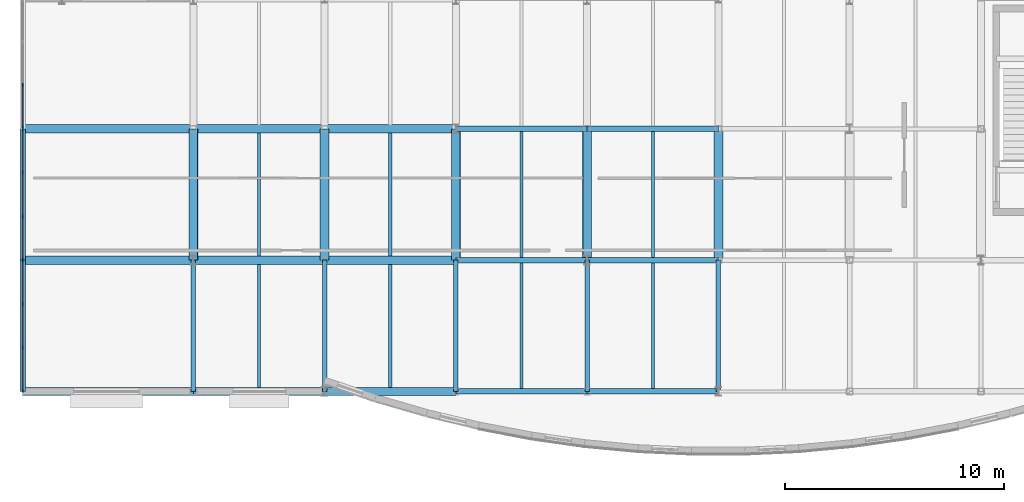
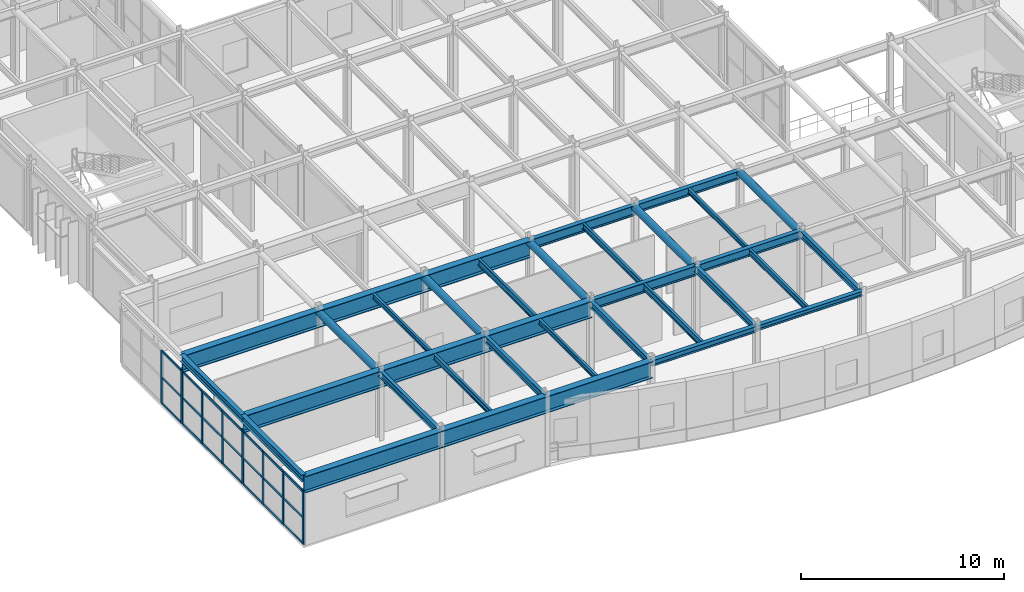
# One storey, part 23 of 96: 32 beams, 31 members, 3 elements without a shape of their own.
"""IFC4 building model written with IfcOpenShell, lengths in metres."""

import ifcopenshell
import ifcopenshell.guid

model = None  # the IFC model being written
_history = None  # IfcOwnerHistory: only IFC2X3 demands one
_inside = {}  # id of a spatial element -> (the spatial element, [elements in it])
_under = {}  # id of a project, library or spatial element -> (it, [spatial elements below it])
_declared = {}  # id of a project -> (the project, [libraries it declares])
_typed = {}  # id of a type object -> (the type object, [elements of that type])
_made_of = {}  # id of a material, layer set ... -> (it, [elements and type objects made of it])


def new_model(schema):
    """Start an empty IFC model of exactly this schema.

    Asked for "IFC4X3", IfcOpenShell would pick the latest addendum, in which some entities
    have other attributes; the version numbers below select the first issue.
    IFC2X3 requires an IfcOwnerHistory on every rooted entity: one is made here for all.
    """
    global model, _history
    if schema == "IFC4X3":
        model = ifcopenshell.file(schema_version=(4, 3, 0, 0))
    else:
        model = ifcopenshell.file(schema=schema)
    _inside.clear()
    _under.clear()
    _declared.clear()
    _typed.clear()
    _made_of.clear()
    _history = None
    if model.schema == "IFC2X3":
        org = make("IfcOrganization", Name="unknown")
        user = make(
            "IfcPersonAndOrganization",
            ThePerson=make("IfcPerson", FamilyName="unknown"),
            TheOrganization=org,
        )
        app = make(
            "IfcApplication",
            ApplicationDeveloper=org,
            Version="unknown",
            ApplicationFullName="unknown",
            ApplicationIdentifier="unknown",
        )
        _history = make(
            "IfcOwnerHistory",
            OwningUser=user,
            OwningApplication=app,
            ChangeAction="ADDED",
            CreationDate=0,
        )
    return model


def make(cls, **values):
    """One entity of the class cls with the attributes given. An attribute that is None is left unset."""
    return model.create_entity(
        cls, **{name: value for name, value in values.items() if value is not None}
    )


def rooted(cls, **values):
    """An entity with a GlobalId (a new one), such as an element, a storey or a relation."""
    return make(cls, GlobalId=ifcopenshell.guid.new(), OwnerHistory=_history, **values)


def si_unit(unit_type, name, prefix=None):
    """IfcSIUnit, for example si_unit("LENGTHUNIT", "METRE", prefix="MILLI")."""
    return make("IfcSIUnit", UnitType=unit_type, Prefix=prefix, Name=name)


def assignment(units):
    """IfcUnitAssignment: the units of a project."""
    return None if units is None else make("IfcUnitAssignment", Units=units)


def point(xyz):
    """IfcCartesianPoint."""
    return None if xyz is None else make("IfcCartesianPoint", Coordinates=xyz)


def direction(xyz):
    """IfcDirection."""
    return None if xyz is None else make("IfcDirection", DirectionRatios=xyz)


def frame(location, z_axis=None, x_axis=None):
    """IfcAxis2Placement3D, a coordinate frame: its origin and axes. An axis left out is left unset."""
    return make(
        "IfcAxis2Placement3D",
        Location=point(location),
        Axis=direction(z_axis),
        RefDirection=direction(x_axis),
    )


def frame_2d(location, x_axis=None):
    """IfcAxis2Placement2D, a coordinate frame in the plane: its origin and x axis."""
    return make(
        "IfcAxis2Placement2D", Location=point(location), RefDirection=direction(x_axis)
    )


def origin():
    """The frame at (0, 0, 0) with its axes left unset."""
    return frame((0.0, 0.0, 0.0))


def origin_2d():
    """The frame at (0, 0) in the plane with its x axis left unset."""
    return frame_2d((0.0, 0.0))


def place(relative_to, where):
    """IfcLocalPlacement: puts the frame where relative to a parent placement (None: the world)."""
    return make(
        "IfcLocalPlacement", PlacementRelTo=relative_to, RelativePlacement=where
    )


def context(
    kind, dimensions, precision=None, world=None, true_north=None, identifier=None
):
    """IfcGeometricRepresentationContext, for example the 3D "Model" context."""
    return make(
        "IfcGeometricRepresentationContext",
        ContextIdentifier=identifier,
        ContextType=kind,
        CoordinateSpaceDimension=dimensions,
        Precision=precision,
        WorldCoordinateSystem=world,
        TrueNorth=true_north,
    )


def subcontext(parent, identifier, kind, view, scale=None):
    """IfcGeometricRepresentationSubContext, for example "Body" below "Model"."""
    return make(
        "IfcGeometricRepresentationSubContext",
        ContextIdentifier=identifier,
        ContextType=kind,
        ParentContext=parent,
        TargetScale=scale,
        TargetView=view,
    )


def project(units=None, contexts=None):
    """IfcProject with its units and contexts."""
    return rooted(
        "IfcProject",
        Name="project",
        RepresentationContexts=contexts,
        UnitsInContext=assignment(units),
    )


def spatial(cls, under=None, at=None, **own):
    """A site, building, storey or space (cls), placed at a placement, below another one or the project."""
    s = rooted(cls, ObjectPlacement=at, **own)
    if under is not None:
        _under.setdefault(under.id(), (under, []))[1].append(s)
    return s


def profile(cls, at=None, kind="AREA", **sizes):
    """A parametric profile (cls). Its sizes go by their IFC names, for example OverallWidth=200.0."""
    return make(cls, ProfileType=kind, Position=at, **sizes)


def rectangle(**sizes):
    """IfcRectangleProfileDef."""
    return profile("IfcRectangleProfileDef", **sizes)


def hollow_circle(**sizes):
    """IfcCircleHollowProfileDef."""
    return profile("IfcCircleHollowProfileDef", **sizes)


def i_section(**sizes):
    """IfcIShapeProfileDef."""
    return profile("IfcIShapeProfileDef", **sizes)


def extrude(swept, where, along, depth):
    """IfcExtrudedAreaSolid: the profile swept, set in the frame where, extruded along a direction by depth."""
    return make(
        "IfcExtrudedAreaSolid",
        SweptArea=swept,
        Position=where,
        ExtrudedDirection=direction(along),
        Depth=depth,
    )


def shape(context_of_items, identifier, shape_type, items):
    """IfcShapeRepresentation: the items that make up one representation, for example the "Body"."""
    return make(
        "IfcShapeRepresentation",
        ContextOfItems=context_of_items,
        RepresentationIdentifier=identifier,
        RepresentationType=shape_type,
        Items=items,
    )


def material(Name=None, Category=None):
    """IfcMaterial."""
    return make("IfcMaterial", Name=Name, Category=Category)


def material_profile(
    of_material, cross_section, Name=None, Category=None, Priority=None
):
    """IfcMaterialProfile: a cross section and its material."""
    return make(
        "IfcMaterialProfile",
        Name=Name,
        Material=of_material,
        Profile=cross_section,
        Priority=Priority,
        Category=Category,
    )


def profile_set(profiles, Name=None, composite=None):
    """IfcMaterialProfileSet."""
    return make(
        "IfcMaterialProfileSet",
        Name=Name,
        MaterialProfiles=profiles,
        CompositeProfile=composite,
    )


def made_of(thing, what):
    """Note that an element or type object is made of a material, layer set ...; save() writes the relation."""
    if what is not None:
        _made_of.setdefault(what.id(), (what, []))[1].append(thing)
    return thing


def type_object(cls, material=None, **own):
    """A type object (cls), such as IfcWallType, which elements share."""
    return made_of(rooted(cls, **own), material)


def element(
    cls,
    number,
    at=None,
    inside=None,
    cuts=None,
    type_object=None,
    material=None,
    context=None,
    identifier="Body",
    shape_type=None,
    held_by="IfcProductDefinitionShape",
    body=None,
    shapes=None,
    **own,
):
    """One element of the class cls, such as IfcWall. Its Tag is "e" and its number.

    at: its placement. inside: the storey or other place that contains it. cuts: it is an
    opening in that element (IfcRelVoidsElement). A single representation is given by context,
    identifier, shape_type and body (its items); several are given by shapes. held_by: the class
    of the entity that holds the representations. save() writes the other relations.
    """
    e = rooted(cls, Tag="e%d" % number, ObjectPlacement=at, **own)
    if body is not None:
        shapes = [shape(context, identifier, shape_type, body)]
    if shapes is not None:
        e.Representation = make(held_by, Representations=shapes)
    if inside is not None:
        _inside.setdefault(inside.id(), (inside, []))[1].append(e)
    if cuts is not None:
        rooted(
            "IfcRelVoidsElement", RelatingBuildingElement=cuts, RelatedOpeningElement=e
        )
    if type_object is not None:
        _typed.setdefault(type_object.id(), (type_object, []))[1].append(e)
    return made_of(e, material)


def aggregate(whole, parts):
    """IfcRelAggregates: a whole, such as a stair, and the parts it consists of."""
    return rooted("IfcRelAggregates", RelatingObject=whole, RelatedObjects=parts)


def save(model, path):
    """Write the relations noted so far, then the file.

    IfcRelAggregates (storeys below a building ...), IfcRelContainedInSpatialStructure (elements
    in a storey), IfcRelDefinesByType, IfcRelAssociatesMaterial and IfcRelDeclares: one each for
    every whole, place, type object, material and project.
    """
    for whole, parts in _under.values():
        aggregate(whole, parts)
    for where, things in _inside.values():
        rooted(
            "IfcRelContainedInSpatialStructure",
            RelatedElements=things,
            RelatingStructure=where,
        )
    for kind, things in _typed.values():
        rooted("IfcRelDefinesByType", RelatedObjects=things, RelatingType=kind)
    for what, things in _made_of.values():
        rooted("IfcRelAssociatesMaterial", RelatedObjects=things, RelatingMaterial=what)
    for by, libraries in _declared.values():
        rooted("IfcRelDeclares", RelatingContext=by, RelatedDefinitions=libraries)
    model.write(path)


model = new_model("IFC4")

# Units and contexts
model_context = context("Model", 3, precision=1e-05, world=origin(), true_north=direction((0.0, 1.0)))
body_context = subcontext(model_context, "Body", "Model", "MODEL_VIEW")
ifc_project = project(units=[si_unit("LENGTHUNIT", "METRE"), si_unit("AREAUNIT", "SQUARE_METRE"), si_unit("VOLUMEUNIT", "CUBIC_METRE"), si_unit("PLANEANGLEUNIT", "RADIAN"), si_unit("MASSUNIT", "GRAM", prefix="KILO")], contexts=[model_context])

# Site, building, storey
site_placement = place(None, origin())
site = spatial("IfcSite", under=ifc_project, at=site_placement, CompositionType="ELEMENT")
building_placement = place(site_placement, origin())
building = spatial("IfcBuilding", under=site, at=building_placement, Name="Varnakota Square Police Headquarters", CompositionType="ELEMENT")
storey_placement = place(building_placement, frame((0.0, 0.0, 4.800048828125)))
storey = spatial("IfcBuildingStorey", under=building, at=storey_placement, Name="L01", CompositionType="ELEMENT", Elevation=4.800048828125)

# Beams
ifc_material_1 = material(Name="Steel IS 2062 Grade 350", Category="steel")
ifc_material_profile_1 = material_profile(ifc_material_1, hollow_circle(Radius=0.203125, WallThickness=0.01611328125, at=origin_2d()), Name="CHS 406.4x16.0")
ifc_profile_set_1 = profile_set([ifc_material_profile_1], Name="Steel IS 2062 Grade 350")
beam_type_1 = type_object("IfcBeamType", Name="BM-ARC-CHS406", PredefinedType="BEAM", material=ifc_profile_set_1)
for number, where, z_axis, x_axis, name in (
    (1, (12.0, 9.0, 3.996826171875), (0.0, 1.0, 0.0), (-1.0, 0.0, 0.0), "BMG-L01-1552"),
    (2, (18.0, 9.0, 3.996826171875), (0.0, 1.0, 0.0), (-1.0, 0.0, 0.0), "BMG-L01-1566"),
    (3, (24.0, 9.0, 3.996826171875), (0.0, 1.0, 0.0), (-1.0, 0.0, 0.0), "BMG-L01-1580"),
    (4, (30.0, 9.0, 3.996826171875), (0.0, 1.0, 0.0), (-1.0, 0.0, 0.0), "BMG-L01-1588"),
    (5, (36.0, 9.0, 3.996826171875), (0.0, 1.0, 0.0), (-1.0, 0.0, 0.0), "BMG-L01-1602"),
):
    element("IfcBeam", number, at=place(storey_placement, frame(where, z_axis=z_axis, x_axis=x_axis)), inside=storey, type_object=beam_type_1, Name=name, PredefinedType="BEAM", context=body_context, shape_type="SweptSolid", body=[
        extrude(hollow_circle(Radius=0.203125, WallThickness=0.01611328125, at=origin_2d()), origin(), (0.0, 0.0, 1.0), 6.0),
    ])
ifc_material_profile_2 = material_profile(ifc_material_1, i_section(OverallWidth=0.3798828125, OverallDepth=1.0, WebThickness=0.02001953125, FlangeThickness=0.031982421875, at=origin_2d()), Name="BPG 1000x380")
ifc_profile_set_2 = profile_set([ifc_material_profile_2], Name="Steel IS 2062 Grade 350")
beam_type_2 = type_object("IfcBeamType", Name="BM-BPG1000", PredefinedType="BEAM", material=ifc_profile_set_2)
beam_1_placement = place(storey_placement, frame((4.199951171875, 3.0, 3.699951171875), z_axis=(1.0, 0.0, 0.0), x_axis=(0.0, 1.0, 0.0)))
element("IfcBeam", 6, at=beam_1_placement, inside=storey, type_object=beam_type_2, Name="Cantilever projection girder L01 Y=3", PredefinedType="BEAM", context=body_context, shape_type="SweptSolid", body=[
    extrude(i_section(OverallWidth=0.3798828125, OverallDepth=1.0, WebThickness=0.02001953125, FlangeThickness=0.031982421875, at=origin_2d()), origin(), (0.0, 0.0, 1.0), 7.800048828125),
])
beam_2_placement = place(storey_placement, frame((12.0, 3.0, 3.699951171875), z_axis=(1.0, 0.0, 0.0), x_axis=(0.0, 1.0, 0.0)))
element("IfcBeam", 7, at=beam_2_placement, inside=storey, type_object=beam_type_2, Name="Cantilever back-span girder L01 Y=3", PredefinedType="BEAM", context=body_context, shape_type="SweptSolid", body=[
    extrude(i_section(OverallWidth=0.3798828125, OverallDepth=1.0, WebThickness=0.02001953125, FlangeThickness=0.031982421875, at=origin_2d()), origin(), (0.0, 0.0, 1.0), 12.0),
])
beam_3_placement = place(storey_placement, frame((4.199951171875, 9.0, 3.699951171875), z_axis=(1.0, 0.0, 0.0), x_axis=(0.0, 1.0, 0.0)))
element("IfcBeam", 8, at=beam_3_placement, inside=storey, type_object=beam_type_2, Name="Cantilever projection girder L01 Y=9", PredefinedType="BEAM", context=body_context, shape_type="SweptSolid", body=[
    extrude(i_section(OverallWidth=0.3798828125, OverallDepth=1.0, WebThickness=0.02001953125, FlangeThickness=0.031982421875, at=origin_2d()), origin(), (0.0, 0.0, 1.0), 7.800048828125),
])
beam_4_placement = place(storey_placement, frame((12.0, 9.0, 3.699951171875), z_axis=(1.0, 0.0, 0.0), x_axis=(0.0, 1.0, 0.0)))
element("IfcBeam", 9, at=beam_4_placement, inside=storey, type_object=beam_type_2, Name="Cantilever back-span girder L01 Y=9", PredefinedType="BEAM", context=body_context, shape_type="SweptSolid", body=[
    extrude(i_section(OverallWidth=0.3798828125, OverallDepth=1.0, WebThickness=0.02001953125, FlangeThickness=0.031982421875, at=origin_2d()), origin(), (0.0, 0.0, 1.0), 12.0),
])
beam_5_placement = place(storey_placement, frame((4.199951171875, 15.0, 3.699951171875), z_axis=(1.0, 0.0, 0.0), x_axis=(0.0, 1.0, 0.0)))
element("IfcBeam", 10, at=beam_5_placement, inside=storey, type_object=beam_type_2, Name="Cantilever projection girder L01 Y=15", PredefinedType="BEAM", context=body_context, shape_type="SweptSolid", body=[
    extrude(i_section(OverallWidth=0.3798828125, OverallDepth=1.0, WebThickness=0.02001953125, FlangeThickness=0.031982421875, at=origin_2d()), origin(), (0.0, 0.0, 1.0), 7.800048828125),
])
beam_6_placement = place(storey_placement, frame((12.0, 15.0, 3.699951171875), z_axis=(1.0, 0.0, 0.0), x_axis=(0.0, 1.0, 0.0)))
element("IfcBeam", 11, at=beam_6_placement, inside=storey, type_object=beam_type_2, Name="Cantilever back-span girder L01 Y=15", PredefinedType="BEAM", context=body_context, shape_type="SweptSolid", body=[
    extrude(i_section(OverallWidth=0.3798828125, OverallDepth=1.0, WebThickness=0.02001953125, FlangeThickness=0.031982421875, at=origin_2d()), origin(), (0.0, 0.0, 1.0), 12.0),
])
ifc_material_profile_3 = material_profile(ifc_material_1, i_section(OverallWidth=0.25, OverallDepth=0.300048828125, WebThickness=0.009521484375, FlangeThickness=0.010498046875, FilletRadius=0.011962890625, at=origin_2d()), Name="ISHB 300")
ifc_profile_set_3 = profile_set([ifc_material_profile_3], Name="Steel IS 2062 Grade 350")
beam_type_3 = type_object("IfcBeamType", Name="BM-ISHB300", PredefinedType="BEAM", material=ifc_profile_set_3)
beam_7_placement = place(storey_placement, frame((30.0, 3.0, 4.050048828125), z_axis=(1.0, 0.0, 0.0), x_axis=(0.0, 1.0, 0.0)))
element("IfcBeam", 12, at=beam_7_placement, inside=storey, type_object=beam_type_3, Name="BMG-L01-1315", PredefinedType="BEAM", context=body_context, shape_type="SweptSolid", body=[
    extrude(i_section(OverallWidth=0.25, OverallDepth=0.300048828125, WebThickness=0.009521484375, FlangeThickness=0.010498046875, FilletRadius=0.011962890625, at=origin_2d()), origin(), (0.0, 0.0, 1.0), 6.0),
])
ifc_material_profile_4 = material_profile(ifc_material_1, i_section(OverallWidth=0.25, OverallDepth=0.35009765625, WebThickness=0.010009765625, FlangeThickness=0.01171875, FilletRadius=0.011962890625, at=origin_2d()), Name="ISHB 350")
ifc_profile_set_4 = profile_set([ifc_material_profile_4], Name="Steel IS 2062 Grade 350")
beam_type_4 = type_object("IfcBeamType", Name="BM-ISHB350", PredefinedType="BEAM", material=ifc_profile_set_4)
beam_8_placement = place(storey_placement, frame((24.0, 3.0, 4.02490234375), z_axis=(1.0, 0.0, 0.0), x_axis=(0.0, 1.0, 0.0)))
element("IfcBeam", 13, at=beam_8_placement, inside=storey, type_object=beam_type_4, Name="BMG-L01-1314", PredefinedType="BEAM", context=body_context, shape_type="SweptSolid", body=[
    extrude(i_section(OverallWidth=0.25, OverallDepth=0.35009765625, WebThickness=0.010009765625, FlangeThickness=0.01171875, FilletRadius=0.011962890625, at=origin_2d()), origin(), (0.0, 0.0, 1.0), 6.0),
])
ifc_material_profile_5 = material_profile(ifc_material_1, i_section(OverallWidth=0.25, OverallDepth=0.39990234375, WebThickness=0.010498046875, FlangeThickness=0.0126953125, FilletRadius=0.013916015625, at=origin_2d()), Name="ISHB 400")
ifc_profile_set_5 = profile_set([ifc_material_profile_5], Name="Steel IS 2062 Grade 350")
beam_type_5 = type_object("IfcBeamType", Name="BM-ISHB400", PredefinedType="BEAM", material=ifc_profile_set_5)
for number, where, z_axis, x_axis, name in (
    (14, (4.199951171875, 3.0, 4.0), (0.0, 1.0, 0.0), (-1.0, 0.0, 0.0), "Cantilever tip edge beam L01"),
    (15, (4.199951171875, 9.0, 4.0), (0.0, 1.0, 0.0), (-1.0, 0.0, 0.0), "Cantilever tip edge beam L01"),
):
    element("IfcBeam", number, at=place(storey_placement, frame(where, z_axis=z_axis, x_axis=x_axis)), inside=storey, type_object=beam_type_5, Name=name, PredefinedType="BEAM", context=body_context, shape_type="SweptSolid", body=[
        extrude(i_section(OverallWidth=0.25, OverallDepth=0.39990234375, WebThickness=0.010498046875, FlangeThickness=0.0126953125, FilletRadius=0.013916015625, at=origin_2d()), origin(), (0.0, 0.0, 1.0), 6.0),
    ])
ifc_material_profile_6 = material_profile(ifc_material_1, i_section(OverallWidth=0.139892578125, OverallDepth=0.300048828125, WebThickness=0.0078125, FlangeThickness=0.01318359375, FilletRadius=0.013916015625, at=origin_2d()), Name="ISMB 300")
ifc_profile_set_6 = profile_set([ifc_material_profile_6], Name="Steel IS 2062 Grade 350")
beam_type_6 = type_object("IfcBeamType", Name="BM-ISMB300", PredefinedType="JOIST", material=ifc_profile_set_6)
for number, where, z_axis, x_axis, name in (
    (16, (15.0, 9.18798828125, 4.050048828125), (0.0, 1.0, 0.0), (-1.0, 0.0, 0.0), "BMG-L01-1787"),
    (17, (21.0, 3.18798828125, 4.050048828125), (0.0, 1.0, 0.0), (-1.0, 0.0, 0.0), "BMG-L01-1797"),
):
    element("IfcBeam", number, at=place(storey_placement, frame(where, z_axis=z_axis, x_axis=x_axis)), inside=storey, type_object=beam_type_6, Name=name, PredefinedType="JOIST", context=body_context, shape_type="SweptSolid", body=[
        extrude(i_section(OverallWidth=0.139892578125, OverallDepth=0.300048828125, WebThickness=0.0078125, FlangeThickness=0.01318359375, FilletRadius=0.013916015625, at=origin_2d()), origin(), (0.0, 0.0, 1.0), 5.6240234375),
    ])
beam_9_placement = place(storey_placement, frame((33.0, 9.123046875, 4.050048828125), z_axis=(0.0, 1.0, 0.0), x_axis=(-1.0, 0.0, 0.0)))
element("IfcBeam", 18, at=beam_9_placement, inside=storey, type_object=beam_type_6, Name="BMG-L01-1813", PredefinedType="JOIST", context=body_context, shape_type="SweptSolid", body=[
    extrude(i_section(OverallWidth=0.139892578125, OverallDepth=0.300048828125, WebThickness=0.0078125, FlangeThickness=0.01318359375, FilletRadius=0.013916015625, at=origin_2d()), origin(), (0.0, 0.0, 1.0), 5.75390625),
])
ifc_material_profile_7 = material_profile(ifc_material_1, i_section(OverallWidth=0.139892578125, OverallDepth=0.35009765625, WebThickness=0.008056640625, FlangeThickness=0.01416015625, FilletRadius=0.013916015625, at=origin_2d()), Name="ISMB 350")
ifc_profile_set_7 = profile_set([ifc_material_profile_7], Name="Steel IS 2062 Grade 350")
beam_type_7 = type_object("IfcBeamType", Name="BM-ISMB350", PredefinedType="JOIST", material=ifc_profile_set_7)
beam_10_placement = place(storey_placement, frame((15.0, 3.18798828125, 4.02490234375), z_axis=(0.0, 1.0, 0.0), x_axis=(-1.0, 0.0, 0.0)))
element("IfcBeam", 19, at=beam_10_placement, inside=storey, type_object=beam_type_7, Name="BMG-L01-1786", PredefinedType="JOIST", context=body_context, shape_type="SweptSolid", body=[
    extrude(i_section(OverallWidth=0.139892578125, OverallDepth=0.35009765625, WebThickness=0.008056640625, FlangeThickness=0.01416015625, FilletRadius=0.013916015625, at=origin_2d()), origin(), (0.0, 0.0, 1.0), 5.6240234375),
])
for number, where, z_axis, x_axis, name in (
    (20, (27.0, 9.123046875, 4.02490234375), (0.0, 1.0, 0.0), (-1.0, 0.0, 0.0), "BMG-L01-1805"),
    (21, (33.0, 3.123046875, 4.02490234375), (0.0, 1.0, 0.0), (-1.0, 0.0, 0.0), "BMG-L01-1812"),
):
    element("IfcBeam", number, at=place(storey_placement, frame(where, z_axis=z_axis, x_axis=x_axis)), inside=storey, type_object=beam_type_7, Name=name, PredefinedType="JOIST", context=body_context, shape_type="SweptSolid", body=[
        extrude(i_section(OverallWidth=0.139892578125, OverallDepth=0.35009765625, WebThickness=0.008056640625, FlangeThickness=0.01416015625, FilletRadius=0.013916015625, at=origin_2d()), origin(), (0.0, 0.0, 1.0), 5.75390625),
    ])
ifc_material_profile_8 = material_profile(ifc_material_1, i_section(OverallWidth=0.139892578125, OverallDepth=0.39990234375, WebThickness=0.0087890625, FlangeThickness=0.01611328125, FilletRadius=0.013916015625, at=origin_2d()), Name="ISMB 400")
ifc_profile_set_8 = profile_set([ifc_material_profile_8], Name="Steel IS 2062 Grade 350")
beam_type_8 = type_object("IfcBeamType", Name="BM-ISMB400", PredefinedType="JOIST", material=ifc_profile_set_8)
beam_11_placement = place(storey_placement, frame((21.0, 9.18798828125, 4.0), z_axis=(0.0, 1.0, 0.0), x_axis=(-1.0, 0.0, 0.0)))
element("IfcBeam", 22, at=beam_11_placement, inside=storey, type_object=beam_type_8, Name="BMG-L01-1798", PredefinedType="JOIST", context=body_context, shape_type="SweptSolid", body=[
    extrude(i_section(OverallWidth=0.139892578125, OverallDepth=0.39990234375, WebThickness=0.0087890625, FlangeThickness=0.01611328125, FilletRadius=0.013916015625, at=origin_2d()), origin(), (0.0, 0.0, 1.0), 5.6240234375),
])
beam_12_placement = place(storey_placement, frame((27.0, 3.123046875, 4.0), z_axis=(0.0, 1.0, 0.0), x_axis=(-1.0, 0.0, 0.0)))
element("IfcBeam", 23, at=beam_12_placement, inside=storey, type_object=beam_type_8, Name="BMG-L01-1804", PredefinedType="JOIST", context=body_context, shape_type="SweptSolid", body=[
    extrude(i_section(OverallWidth=0.139892578125, OverallDepth=0.39990234375, WebThickness=0.0087890625, FlangeThickness=0.01611328125, FilletRadius=0.013916015625, at=origin_2d()), origin(), (0.0, 0.0, 1.0), 5.75390625),
])
ifc_material_profile_9 = material_profile(ifc_material_1, i_section(OverallWidth=0.199951171875, OverallDepth=0.39990234375, WebThickness=0.008544921875, FlangeThickness=0.012939453125, FilletRadius=0.012939453125, at=origin_2d()), Name="ISWB 400")
ifc_profile_set_9 = profile_set([ifc_material_profile_9], Name="Steel IS 2062 Grade 350")
beam_type_9 = type_object("IfcBeamType", Name="BM-ISWB400", PredefinedType="BEAM", material=ifc_profile_set_9)
for number, where, z_axis, x_axis, name in (
    (24, (12.0, 3.0, 4.0), (0.0, 1.0, 0.0), (-1.0, 0.0, 0.0), "BMG-L01-1551"),
    (25, (18.0, 3.0, 4.0), (0.0, 1.0, 0.0), (-1.0, 0.0, 0.0), "BMG-L01-1565"),
    (26, (24.0, 3.0, 4.0), (0.0, 1.0, 0.0), (-1.0, 0.0, 0.0), "BMG-L01-1579"),
    (27, (30.0, 3.0, 4.0), (0.0, 1.0, 0.0), (-1.0, 0.0, 0.0), "BMG-L01-1587"),
    (28, (36.0, 3.0, 4.0), (0.0, 1.0, 0.0), (-1.0, 0.0, 0.0), "BMG-L01-1601"),
):
    element("IfcBeam", number, at=place(storey_placement, frame(where, z_axis=z_axis, x_axis=x_axis)), inside=storey, type_object=beam_type_9, Name=name, PredefinedType="BEAM", context=body_context, shape_type="SweptSolid", body=[
        extrude(i_section(OverallWidth=0.199951171875, OverallDepth=0.39990234375, WebThickness=0.008544921875, FlangeThickness=0.012939453125, FilletRadius=0.012939453125, at=origin_2d()), origin(), (0.0, 0.0, 1.0), 6.0),
    ])
ifc_material_profile_10 = material_profile(ifc_material_1, i_section(OverallWidth=0.25, OverallDepth=0.5, WebThickness=0.010009765625, FlangeThickness=0.0146484375, FilletRadius=0.014892578125, at=origin_2d()), Name="ISWB 500")
ifc_profile_set_10 = profile_set([ifc_material_profile_10], Name="Steel IS 2062 Grade 350")
beam_type_10 = type_object("IfcBeamType", Name="BM-ISWB500", PredefinedType="BEAM", material=ifc_profile_set_10)
for number, where, z_axis, x_axis, name in (
    (29, (30.0, 9.0, 3.949951171875), (1.0, 0.0, 0.0), (0.0, 1.0, 0.0), "BMG-L01-1328"),
    (30, (30.0, 15.0, 3.949951171875), (1.0, 0.0, 0.0), (0.0, 1.0, 0.0), "BMG-L01-1341"),
):
    element("IfcBeam", number, at=place(storey_placement, frame(where, z_axis=z_axis, x_axis=x_axis)), inside=storey, type_object=beam_type_10, Name=name, PredefinedType="BEAM", context=body_context, shape_type="SweptSolid", body=[
        extrude(i_section(OverallWidth=0.25, OverallDepth=0.5, WebThickness=0.010009765625, FlangeThickness=0.0146484375, FilletRadius=0.014892578125, at=origin_2d()), origin(), (0.0, 0.0, 1.0), 6.0),
    ])
ifc_material_profile_11 = material_profile(ifc_material_1, i_section(OverallWidth=0.25, OverallDepth=0.60009765625, WebThickness=0.01171875, FlangeThickness=0.023681640625, FilletRadius=0.01708984375, at=origin_2d()), Name="ISWB 600")
ifc_profile_set_11 = profile_set([ifc_material_profile_11], Name="Steel IS 2062 Grade 350")
beam_type_11 = type_object("IfcBeamType", Name="BM-ISWB600", PredefinedType="BEAM", material=ifc_profile_set_11)
for number, where, z_axis, x_axis, name in (
    (31, (24.0, 9.0, 3.89990234375), (1.0, 0.0, 0.0), (0.0, 1.0, 0.0), "BMG-L01-1327"),
    (32, (24.0, 15.0, 3.89990234375), (1.0, 0.0, 0.0), (0.0, 1.0, 0.0), "BMG-L01-1340"),
):
    element("IfcBeam", number, at=place(storey_placement, frame(where, z_axis=z_axis, x_axis=x_axis)), inside=storey, type_object=beam_type_11, Name=name, PredefinedType="BEAM", context=body_context, shape_type="SweptSolid", body=[
        extrude(i_section(OverallWidth=0.25, OverallDepth=0.60009765625, WebThickness=0.01171875, FlangeThickness=0.023681640625, FilletRadius=0.01708984375, at=origin_2d()), origin(), (0.0, 0.0, 1.0), 6.0),
    ])

# Curtain wall, members
ifc_material_2 = material(Name="Anodised Aluminium Framing", Category="aluminium")
curtain_wall_type = type_object("IfcCurtainWallType", Name="CW-SYS-B", PredefinedType="NOTDEFINED", material=ifc_material_2)
curtain_wall_1_placement = place(storey_placement, origin())
curtain_wall_1 = element("IfcCurtainWall", 33, at=curtain_wall_1_placement, inside=storey, type_object=curtain_wall_type, Name="Unitised curtain wall CWG-L01-042", PredefinedType="NOTDEFINED")
ifc_material_3 = material(Name="Anodised Aluminium 6063-T6", Category="aluminium")
ifc_material_profile_12 = material_profile(ifc_material_3, rectangle(XDim=0.06494140625, YDim=0.159912109375, at=origin_2d()), Name="ALU MULLION 65x160")
ifc_profile_set_12 = profile_set([ifc_material_profile_12], Name="Anodised Aluminium 6063-T6")
member_type_1 = type_object("IfcMemberType", Name="CWM-150", PredefinedType="MULLION", material=ifc_profile_set_12)
member_1_placement = place(storey_placement, frame((4.199951171875, 3.032470703125, 0.0), z_axis=(0.0, 0.0, 1.0), x_axis=(-1.0, 0.0, 0.0)))
member_1 = element("IfcMember", 34, at=member_1_placement, type_object=member_type_1, Name="CWG-L01-042 mullion 1", PredefinedType="MULLION", context=body_context, shape_type="SweptSolid", body=[
    extrude(rectangle(XDim=0.06494140625, YDim=0.159912109375, at=origin_2d()), origin(), (0.0, 0.0, 1.0), 3.18994140625),
])
member_2_placement = place(storey_placement, frame((4.199951171875, 5.0, 0.0), z_axis=(0.0, 0.0, 1.0), x_axis=(-1.0, 0.0, 0.0)))
member_2 = element("IfcMember", 35, at=member_2_placement, type_object=member_type_1, Name="CWG-L01-042 mullion 2", PredefinedType="MULLION", context=body_context, shape_type="SweptSolid", body=[
    extrude(rectangle(XDim=0.06494140625, YDim=0.159912109375, at=origin_2d()), origin(), (0.0, 0.0, 1.0), 3.18994140625),
])
member_3_placement = place(storey_placement, frame((4.199951171875, 7.0, 0.0), z_axis=(0.0, 0.0, 1.0), x_axis=(-1.0, 0.0, 0.0)))
member_3 = element("IfcMember", 36, at=member_3_placement, type_object=member_type_1, Name="CWG-L01-042 mullion 3", PredefinedType="MULLION", context=body_context, shape_type="SweptSolid", body=[
    extrude(rectangle(XDim=0.06494140625, YDim=0.159912109375, at=origin_2d()), origin(), (0.0, 0.0, 1.0), 3.18994140625),
])
member_4_placement = place(storey_placement, frame((4.199951171875, 8.967529296875, 0.0), z_axis=(0.0, 0.0, 1.0), x_axis=(-1.0, 0.0, 0.0)))
member_4 = element("IfcMember", 37, at=member_4_placement, type_object=member_type_1, Name="CWG-L01-042 mullion 4", PredefinedType="MULLION", context=body_context, shape_type="SweptSolid", body=[
    extrude(rectangle(XDim=0.06494140625, YDim=0.159912109375, at=origin_2d()), origin(), (0.0, 0.0, 1.0), 3.18994140625),
])

curtain_wall_2_placement = place(storey_placement, origin())
curtain_wall_2 = element("IfcCurtainWall", 38, at=curtain_wall_2_placement, inside=storey, type_object=curtain_wall_type, Name="Unitised curtain wall CWG-L01-043", PredefinedType="NOTDEFINED")
member_5_placement = place(storey_placement, frame((4.199951171875, 9.032470703125, 0.0), z_axis=(0.0, 0.0, 1.0), x_axis=(-1.0, 0.0, 0.0)))
member_5 = element("IfcMember", 39, at=member_5_placement, type_object=member_type_1, Name="CWG-L01-043 mullion 1", PredefinedType="MULLION", context=body_context, shape_type="SweptSolid", body=[
    extrude(rectangle(XDim=0.06494140625, YDim=0.159912109375, at=origin_2d()), origin(), (0.0, 0.0, 1.0), 3.18994140625),
])
member_6_placement = place(storey_placement, frame((4.199951171875, 11.0, 0.0), z_axis=(0.0, 0.0, 1.0), x_axis=(-1.0, 0.0, 0.0)))
member_6 = element("IfcMember", 40, at=member_6_placement, type_object=member_type_1, Name="CWG-L01-043 mullion 2", PredefinedType="MULLION", context=body_context, shape_type="SweptSolid", body=[
    extrude(rectangle(XDim=0.06494140625, YDim=0.159912109375, at=origin_2d()), origin(), (0.0, 0.0, 1.0), 3.18994140625),
])
member_7_placement = place(storey_placement, frame((4.199951171875, 13.0, 0.0), z_axis=(0.0, 0.0, 1.0), x_axis=(-1.0, 0.0, 0.0)))
member_7 = element("IfcMember", 41, at=member_7_placement, type_object=member_type_1, Name="CWG-L01-043 mullion 3", PredefinedType="MULLION", context=body_context, shape_type="SweptSolid", body=[
    extrude(rectangle(XDim=0.06494140625, YDim=0.159912109375, at=origin_2d()), origin(), (0.0, 0.0, 1.0), 3.18994140625),
])
member_8_placement = place(storey_placement, frame((4.199951171875, 14.967529296875, 0.0), z_axis=(0.0, 0.0, 1.0), x_axis=(-1.0, 0.0, 0.0)))
member_8 = element("IfcMember", 42, at=member_8_placement, type_object=member_type_1, Name="CWG-L01-043 mullion 4", PredefinedType="MULLION", context=body_context, shape_type="SweptSolid", body=[
    extrude(rectangle(XDim=0.06494140625, YDim=0.159912109375, at=origin_2d()), origin(), (0.0, 0.0, 1.0), 3.18994140625),
])

curtain_wall_3_placement = place(storey_placement, origin())
curtain_wall_3 = element("IfcCurtainWall", 43, at=curtain_wall_3_placement, inside=storey, type_object=curtain_wall_type, Name="Unitised curtain wall CWG-L01-044", PredefinedType="NOTDEFINED")
member_9_placement = place(storey_placement, frame((4.199951171875, 15.032470703125, 0.0), z_axis=(0.0, 0.0, 1.0), x_axis=(-1.0, 0.0, 0.0)))
member_9 = element("IfcMember", 44, at=member_9_placement, type_object=member_type_1, Name="CWG-L01-044 mullion 1", PredefinedType="MULLION", context=body_context, shape_type="SweptSolid", body=[
    extrude(rectangle(XDim=0.06494140625, YDim=0.159912109375, at=origin_2d()), origin(), (0.0, 0.0, 1.0), 3.18994140625),
])
member_10_placement = place(storey_placement, frame((4.199951171875, 17.0, 0.0), z_axis=(0.0, 0.0, 1.0), x_axis=(-1.0, 0.0, 0.0)))
member_10 = element("IfcMember", 45, at=member_10_placement, type_object=member_type_1, Name="CWG-L01-044 mullion 2", PredefinedType="MULLION", context=body_context, shape_type="SweptSolid", body=[
    extrude(rectangle(XDim=0.06494140625, YDim=0.159912109375, at=origin_2d()), origin(), (0.0, 0.0, 1.0), 3.18994140625),
])

# Member
ifc_material_profile_13 = material_profile(ifc_material_3, rectangle(XDim=0.06494140625, YDim=0.1298828125, at=origin_2d()), Name="ALU TRANSOM 65x130")
ifc_profile_set_13 = profile_set([ifc_material_profile_13], Name="Anodised Aluminium 6063-T6")
member_type_2 = type_object("IfcMemberType", Name="CWT-120", PredefinedType="USERDEFINED", material=ifc_profile_set_13)
member_11_placement = place(storey_placement, frame((4.199951171875, 3.06494140625, 0.032470703125), z_axis=(0.0, 1.0, 0.0), x_axis=(-1.0, 0.0, 0.0)))
member_11 = element("IfcMember", 46, at=member_11_placement, type_object=member_type_2, Name="CWG-L01-042 transom 1.1", ObjectType="TRANSOM", PredefinedType="USERDEFINED", context=body_context, shape_type="SweptSolid", body=[
    extrude(rectangle(XDim=0.06494140625, YDim=0.1298828125, at=origin_2d()), origin(), (0.0, 0.0, 1.0), 1.902587890625),
])

member_12_placement = place(storey_placement, frame((4.199951171875, 3.06494140625, 1.594970703125), z_axis=(0.0, 1.0, 0.0), x_axis=(-1.0, 0.0, 0.0)))
member_12 = element("IfcMember", 47, at=member_12_placement, type_object=member_type_2, Name="CWG-L01-042 transom 1.2", ObjectType="TRANSOM", PredefinedType="USERDEFINED", context=body_context, shape_type="SweptSolid", body=[
    extrude(rectangle(XDim=0.06494140625, YDim=0.1298828125, at=origin_2d()), origin(), (0.0, 0.0, 1.0), 1.902587890625),
])

member_13_placement = place(storey_placement, frame((4.199951171875, 3.06494140625, 3.157470703125), z_axis=(0.0, 1.0, 0.0), x_axis=(-1.0, 0.0, 0.0)))
member_13 = element("IfcMember", 48, at=member_13_placement, type_object=member_type_2, Name="CWG-L01-042 transom 1.3", ObjectType="TRANSOM", PredefinedType="USERDEFINED", context=body_context, shape_type="SweptSolid", body=[
    extrude(rectangle(XDim=0.06494140625, YDim=0.1298828125, at=origin_2d()), origin(), (0.0, 0.0, 1.0), 1.902587890625),
])

member_14_placement = place(storey_placement, frame((4.199951171875, 5.032470703125, 0.032470703125), z_axis=(0.0, 1.0, 0.0), x_axis=(-1.0, 0.0, 0.0)))
member_14 = element("IfcMember", 49, at=member_14_placement, type_object=member_type_2, Name="CWG-L01-042 transom 2.1", ObjectType="TRANSOM", PredefinedType="USERDEFINED", context=body_context, shape_type="SweptSolid", body=[
    extrude(rectangle(XDim=0.06494140625, YDim=0.1298828125, at=origin_2d()), origin(), (0.0, 0.0, 1.0), 1.93505859375),
])

member_15_placement = place(storey_placement, frame((4.199951171875, 5.032470703125, 1.594970703125), z_axis=(0.0, 1.0, 0.0), x_axis=(-1.0, 0.0, 0.0)))
member_15 = element("IfcMember", 50, at=member_15_placement, type_object=member_type_2, Name="CWG-L01-042 transom 2.2", ObjectType="TRANSOM", PredefinedType="USERDEFINED", context=body_context, shape_type="SweptSolid", body=[
    extrude(rectangle(XDim=0.06494140625, YDim=0.1298828125, at=origin_2d()), origin(), (0.0, 0.0, 1.0), 1.93505859375),
])

member_16_placement = place(storey_placement, frame((4.199951171875, 5.032470703125, 3.157470703125), z_axis=(0.0, 1.0, 0.0), x_axis=(-1.0, 0.0, 0.0)))
member_16 = element("IfcMember", 51, at=member_16_placement, type_object=member_type_2, Name="CWG-L01-042 transom 2.3", ObjectType="TRANSOM", PredefinedType="USERDEFINED", context=body_context, shape_type="SweptSolid", body=[
    extrude(rectangle(XDim=0.06494140625, YDim=0.1298828125, at=origin_2d()), origin(), (0.0, 0.0, 1.0), 1.93505859375),
])

member_17_placement = place(storey_placement, frame((4.199951171875, 7.032470703125, 0.032470703125), z_axis=(0.0, 1.0, 0.0), x_axis=(-1.0, 0.0, 0.0)))
member_17 = element("IfcMember", 52, at=member_17_placement, type_object=member_type_2, Name="CWG-L01-042 transom 3.1", ObjectType="TRANSOM", PredefinedType="USERDEFINED", context=body_context, shape_type="SweptSolid", body=[
    extrude(rectangle(XDim=0.06494140625, YDim=0.1298828125, at=origin_2d()), origin(), (0.0, 0.0, 1.0), 1.902587890625),
])

member_18_placement = place(storey_placement, frame((4.199951171875, 7.032470703125, 1.594970703125), z_axis=(0.0, 1.0, 0.0), x_axis=(-1.0, 0.0, 0.0)))
member_18 = element("IfcMember", 53, at=member_18_placement, type_object=member_type_2, Name="CWG-L01-042 transom 3.2", ObjectType="TRANSOM", PredefinedType="USERDEFINED", context=body_context, shape_type="SweptSolid", body=[
    extrude(rectangle(XDim=0.06494140625, YDim=0.1298828125, at=origin_2d()), origin(), (0.0, 0.0, 1.0), 1.902587890625),
])

member_19_placement = place(storey_placement, frame((4.199951171875, 7.032470703125, 3.157470703125), z_axis=(0.0, 1.0, 0.0), x_axis=(-1.0, 0.0, 0.0)))
member_19 = element("IfcMember", 54, at=member_19_placement, type_object=member_type_2, Name="CWG-L01-042 transom 3.3", ObjectType="TRANSOM", PredefinedType="USERDEFINED", context=body_context, shape_type="SweptSolid", body=[
    extrude(rectangle(XDim=0.06494140625, YDim=0.1298828125, at=origin_2d()), origin(), (0.0, 0.0, 1.0), 1.902587890625),
])

aggregate(curtain_wall_1, [member_1, member_2, member_3, member_4, member_11, member_12, member_13, member_14, member_15, member_16, member_17, member_18, member_19])

member_20_placement = place(storey_placement, frame((4.199951171875, 9.06494140625, 0.032470703125), z_axis=(0.0, 1.0, 0.0), x_axis=(-1.0, 0.0, 0.0)))
member_20 = element("IfcMember", 55, at=member_20_placement, type_object=member_type_2, Name="CWG-L01-043 transom 1.1", ObjectType="TRANSOM", PredefinedType="USERDEFINED", context=body_context, shape_type="SweptSolid", body=[
    extrude(rectangle(XDim=0.06494140625, YDim=0.1298828125, at=origin_2d()), origin(), (0.0, 0.0, 1.0), 1.902587890625),
])

member_21_placement = place(storey_placement, frame((4.199951171875, 9.06494140625, 1.594970703125), z_axis=(0.0, 1.0, 0.0), x_axis=(-1.0, 0.0, 0.0)))
member_21 = element("IfcMember", 56, at=member_21_placement, type_object=member_type_2, Name="CWG-L01-043 transom 1.2", ObjectType="TRANSOM", PredefinedType="USERDEFINED", context=body_context, shape_type="SweptSolid", body=[
    extrude(rectangle(XDim=0.06494140625, YDim=0.1298828125, at=origin_2d()), origin(), (0.0, 0.0, 1.0), 1.902587890625),
])

member_22_placement = place(storey_placement, frame((4.199951171875, 9.06494140625, 3.157470703125), z_axis=(0.0, 1.0, 0.0), x_axis=(-1.0, 0.0, 0.0)))
member_22 = element("IfcMember", 57, at=member_22_placement, type_object=member_type_2, Name="CWG-L01-043 transom 1.3", ObjectType="TRANSOM", PredefinedType="USERDEFINED", context=body_context, shape_type="SweptSolid", body=[
    extrude(rectangle(XDim=0.06494140625, YDim=0.1298828125, at=origin_2d()), origin(), (0.0, 0.0, 1.0), 1.902587890625),
])

member_23_placement = place(storey_placement, frame((4.199951171875, 11.032470703125, 0.032470703125), z_axis=(0.0, 1.0, 0.0), x_axis=(-1.0, 0.0, 0.0)))
member_23 = element("IfcMember", 58, at=member_23_placement, type_object=member_type_2, Name="CWG-L01-043 transom 2.1", ObjectType="TRANSOM", PredefinedType="USERDEFINED", context=body_context, shape_type="SweptSolid", body=[
    extrude(rectangle(XDim=0.06494140625, YDim=0.1298828125, at=origin_2d()), origin(), (0.0, 0.0, 1.0), 1.93505859375),
])

member_24_placement = place(storey_placement, frame((4.199951171875, 11.032470703125, 1.594970703125), z_axis=(0.0, 1.0, 0.0), x_axis=(-1.0, 0.0, 0.0)))
member_24 = element("IfcMember", 59, at=member_24_placement, type_object=member_type_2, Name="CWG-L01-043 transom 2.2", ObjectType="TRANSOM", PredefinedType="USERDEFINED", context=body_context, shape_type="SweptSolid", body=[
    extrude(rectangle(XDim=0.06494140625, YDim=0.1298828125, at=origin_2d()), origin(), (0.0, 0.0, 1.0), 1.93505859375),
])

member_25_placement = place(storey_placement, frame((4.199951171875, 11.032470703125, 3.157470703125), z_axis=(0.0, 1.0, 0.0), x_axis=(-1.0, 0.0, 0.0)))
member_25 = element("IfcMember", 60, at=member_25_placement, type_object=member_type_2, Name="CWG-L01-043 transom 2.3", ObjectType="TRANSOM", PredefinedType="USERDEFINED", context=body_context, shape_type="SweptSolid", body=[
    extrude(rectangle(XDim=0.06494140625, YDim=0.1298828125, at=origin_2d()), origin(), (0.0, 0.0, 1.0), 1.93505859375),
])

member_26_placement = place(storey_placement, frame((4.199951171875, 13.032470703125, 0.032470703125), z_axis=(0.0, 1.0, 0.0), x_axis=(-1.0, 0.0, 0.0)))
member_26 = element("IfcMember", 61, at=member_26_placement, type_object=member_type_2, Name="CWG-L01-043 transom 3.1", ObjectType="TRANSOM", PredefinedType="USERDEFINED", context=body_context, shape_type="SweptSolid", body=[
    extrude(rectangle(XDim=0.06494140625, YDim=0.1298828125, at=origin_2d()), origin(), (0.0, 0.0, 1.0), 1.902587890625),
])

member_27_placement = place(storey_placement, frame((4.199951171875, 13.032470703125, 1.594970703125), z_axis=(0.0, 1.0, 0.0), x_axis=(-1.0, 0.0, 0.0)))
member_27 = element("IfcMember", 62, at=member_27_placement, type_object=member_type_2, Name="CWG-L01-043 transom 3.2", ObjectType="TRANSOM", PredefinedType="USERDEFINED", context=body_context, shape_type="SweptSolid", body=[
    extrude(rectangle(XDim=0.06494140625, YDim=0.1298828125, at=origin_2d()), origin(), (0.0, 0.0, 1.0), 1.902587890625),
])

member_28_placement = place(storey_placement, frame((4.199951171875, 13.032470703125, 3.157470703125), z_axis=(0.0, 1.0, 0.0), x_axis=(-1.0, 0.0, 0.0)))
member_28 = element("IfcMember", 63, at=member_28_placement, type_object=member_type_2, Name="CWG-L01-043 transom 3.3", ObjectType="TRANSOM", PredefinedType="USERDEFINED", context=body_context, shape_type="SweptSolid", body=[
    extrude(rectangle(XDim=0.06494140625, YDim=0.1298828125, at=origin_2d()), origin(), (0.0, 0.0, 1.0), 1.902587890625),
])

aggregate(curtain_wall_2, [member_5, member_6, member_7, member_8, member_20, member_21, member_22, member_23, member_24, member_25, member_26, member_27, member_28])

member_29_placement = place(storey_placement, frame((4.199951171875, 15.06494140625, 0.032470703125), z_axis=(0.0, 1.0, 0.0), x_axis=(-1.0, 0.0, 0.0)))
member_29 = element("IfcMember", 64, at=member_29_placement, type_object=member_type_2, Name="CWG-L01-044 transom 1.1", ObjectType="TRANSOM", PredefinedType="USERDEFINED", context=body_context, shape_type="SweptSolid", body=[
    extrude(rectangle(XDim=0.06494140625, YDim=0.1298828125, at=origin_2d()), origin(), (0.0, 0.0, 1.0), 1.902587890625),
])

member_30_placement = place(storey_placement, frame((4.199951171875, 15.06494140625, 1.594970703125), z_axis=(0.0, 1.0, 0.0), x_axis=(-1.0, 0.0, 0.0)))
member_30 = element("IfcMember", 65, at=member_30_placement, type_object=member_type_2, Name="CWG-L01-044 transom 1.2", ObjectType="TRANSOM", PredefinedType="USERDEFINED", context=body_context, shape_type="SweptSolid", body=[
    extrude(rectangle(XDim=0.06494140625, YDim=0.1298828125, at=origin_2d()), origin(), (0.0, 0.0, 1.0), 1.902587890625),
])

member_31_placement = place(storey_placement, frame((4.199951171875, 15.06494140625, 3.157470703125), z_axis=(0.0, 1.0, 0.0), x_axis=(-1.0, 0.0, 0.0)))
member_31 = element("IfcMember", 66, at=member_31_placement, type_object=member_type_2, Name="CWG-L01-044 transom 1.3", ObjectType="TRANSOM", PredefinedType="USERDEFINED", context=body_context, shape_type="SweptSolid", body=[
    extrude(rectangle(XDim=0.06494140625, YDim=0.1298828125, at=origin_2d()), origin(), (0.0, 0.0, 1.0), 1.902587890625),
])

aggregate(curtain_wall_3, [member_9, member_10, member_29, member_30, member_31])

save(model, "model.ifc")
